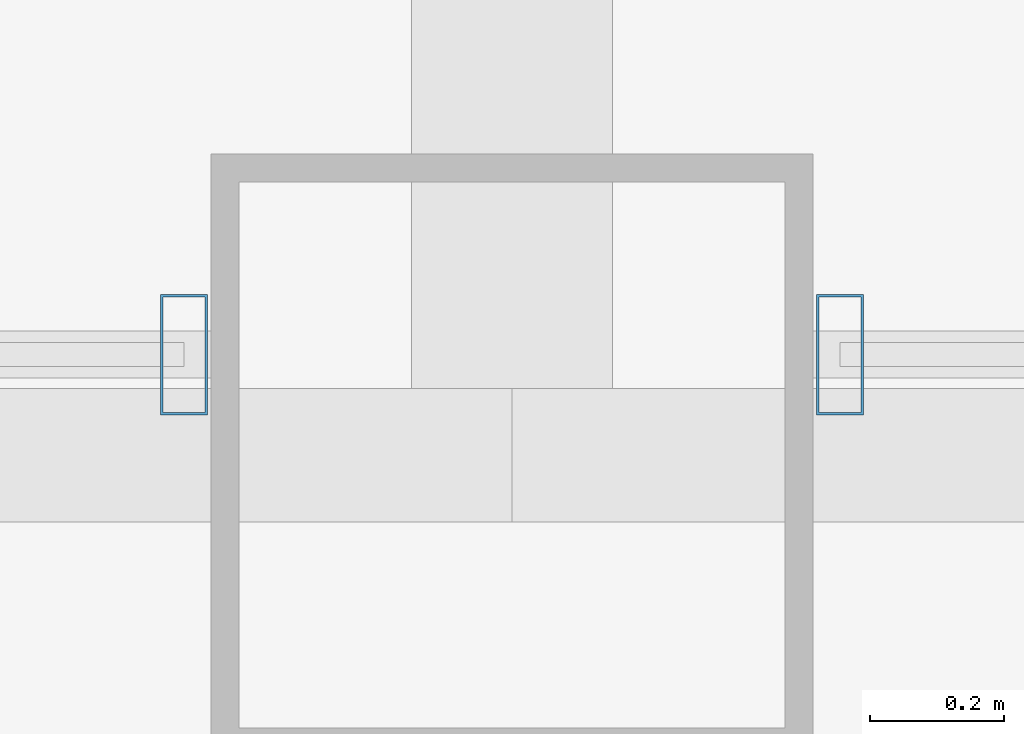
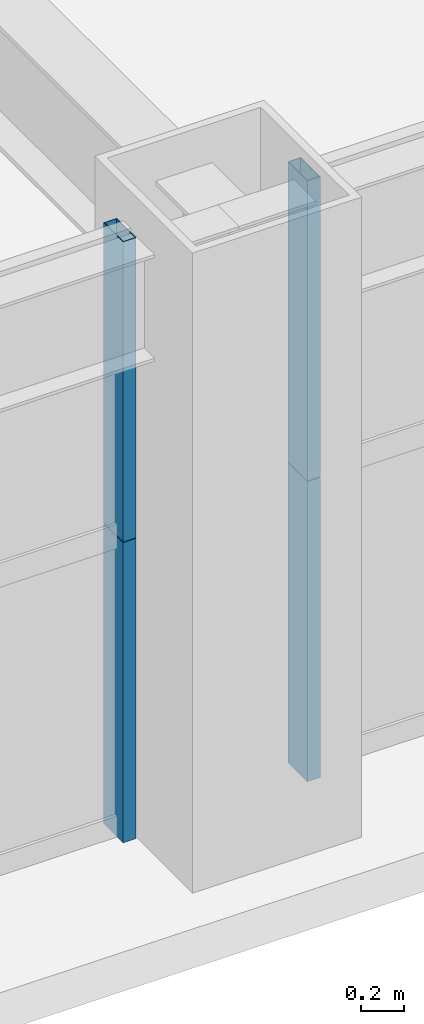
# One storey, part 10 of 39: 4 members, 2 elements without a shape of their own.
"""IFC4 building model written with IfcOpenShell, lengths in metres."""

from ifc_helpers import new_model, si_unit, direction, frame, origin, origin_2d, place, context, subcontext, project, spatial, hollow_rectangle, extrude, source, transform, mapped, material, layer, layer_set, material_profile, profile_set, type_object, element, aggregate, save


model = new_model("IFC4")

# Units and contexts
model_context = context("Model", 3, precision=1e-05, world=origin(), true_north=direction((0.0, 1.0)))
body_context = subcontext(model_context, "Body", "Model", "MODEL_VIEW")
ifc_project = project(units=[si_unit("LENGTHUNIT", "METRE"), si_unit("AREAUNIT", "SQUARE_METRE"), si_unit("VOLUMEUNIT", "CUBIC_METRE"), si_unit("PLANEANGLEUNIT", "RADIAN"), si_unit("MASSUNIT", "GRAM", prefix="KILO"), si_unit("THERMODYNAMICTEMPERATUREUNIT", "KELVIN"), si_unit("POWERUNIT", "WATT")], contexts=[model_context])

# Site, building, storey
site_placement = place(None, origin())
site = spatial("IfcSite", under=ifc_project, at=site_placement, CompositionType="ELEMENT")
building_placement = place(site_placement, origin())
building = spatial("IfcBuilding", under=site, at=building_placement, Name="Yuzanri Waterfront Tower", CompositionType="ELEMENT")
storey_placement = place(building_placement, frame((0.0, 0.0, 141.60009765625)))
storey = spatial("IfcBuildingStorey", under=building, at=storey_placement, Name="L37", CompositionType="ELEMENT", Elevation=141.60009765625)

# Curtain wall, members
ifc_material_1 = material(Name="Anodized Architectural Bronze", Category="metal")
ifc_layer = layer(ifc_material_1, 0.159912109375)
ifc_layer_set = layer_set([ifc_layer], Name="Anodized Architectural Bronze")
curtain_wall_type = type_object("IfcCurtainWallType", Name="Anodized Bronze Hotel Upper-Tier Solar-Control Unitized Curtain Wall 7800", PredefinedType="NOTDEFINED", material=ifc_layer_set)
curtain_wall_1_placement = place(storey_placement, origin())
curtain_wall_1 = element("IfcCurtainWall", 1, at=curtain_wall_1_placement, inside=storey, type_object=curtain_wall_type, Name="L37 Curtain Wall CW-L37-SL", PredefinedType="NOTDEFINED")
ifc_material_2 = material(Name="Anodized Architectural Bronze", Category="metal")
ifc_material_profile = material_profile(ifc_material_2, hollow_rectangle(XDim=0.070068359375, YDim=0.179931640625, WallThickness=0.00390625, at=origin_2d()), Name="CWM 70x180")
ifc_profile_set = profile_set([ifc_material_profile], Name="Anodized Architectural Bronze")
member_type = type_object("IfcMemberType", Name="Anodized Bronze Standard Curtain-Wall Mullion 70x180", PredefinedType="MULLION", material=ifc_profile_set)
shared_shape = source(origin(), body_context, "Body", "SweptSolid", [
    extrude(hollow_rectangle(XDim=0.070068359375, YDim=0.179931640625, WallThickness=0.00390625, at=origin_2d()), origin(), (0.0, 0.0, 1.0), 1.68798828125),
])
member_1_placement = place(storey_placement, frame((36.510009765625, 2.35009765625, 0.0), z_axis=(0.0, 0.0, 1.0), x_axis=(1.0, 0.0, 0.0)))
member_1 = element("IfcMember", 2, at=member_1_placement, type_object=member_type, Name="CW-L37-SL Lower Mullion 02", PredefinedType="MULLION", context=body_context, shape_type="MappedRepresentation", body=[
    mapped(shared_shape, transform((0.0, 0.0, 0.0), scale=1.0)),
])
member_2_placement = place(storey_placement, frame((36.510009765625, 2.35009765625, 1.69189453125), z_axis=(0.0, 0.0, 1.0), x_axis=(1.0, 0.0, 0.0)))
member_2 = element("IfcMember", 3, at=member_2_placement, type_object=member_type, Name="CW-L37-SL Upper Mullion 02", PredefinedType="MULLION", context=body_context, shape_type="MappedRepresentation", body=[
    mapped(shared_shape, transform((0.0, 0.0, 0.0), scale=1.0)),
])
aggregate(curtain_wall_1, [member_1, member_2])

curtain_wall_2_placement = place(storey_placement, origin())
curtain_wall_2 = element("IfcCurtainWall", 4, at=curtain_wall_2_placement, inside=storey, type_object=curtain_wall_type, Name="L37 Curtain Wall CW-L37-SR", PredefinedType="NOTDEFINED")
member_3_placement = place(storey_placement, frame((37.489990234375, 2.35009765625, 0.0), z_axis=(0.0, 0.0, 1.0), x_axis=(1.0, 0.0, 0.0)))
member_3 = element("IfcMember", 5, at=member_3_placement, type_object=member_type, Name="CW-L37-SR Lower Mullion 00", PredefinedType="MULLION", context=body_context, shape_type="MappedRepresentation", body=[
    mapped(shared_shape, transform((0.0, 0.0, 0.0), scale=1.0)),
])
member_4_placement = place(storey_placement, frame((37.489990234375, 2.35009765625, 1.69189453125), z_axis=(0.0, 0.0, 1.0), x_axis=(1.0, 0.0, 0.0)))
member_4 = element("IfcMember", 6, at=member_4_placement, type_object=member_type, Name="CW-L37-SR Upper Mullion 00", PredefinedType="MULLION", context=body_context, shape_type="MappedRepresentation", body=[
    mapped(shared_shape, transform((0.0, 0.0, 0.0), scale=1.0)),
])
aggregate(curtain_wall_2, [member_3, member_4])

save(model, "model.ifc")
